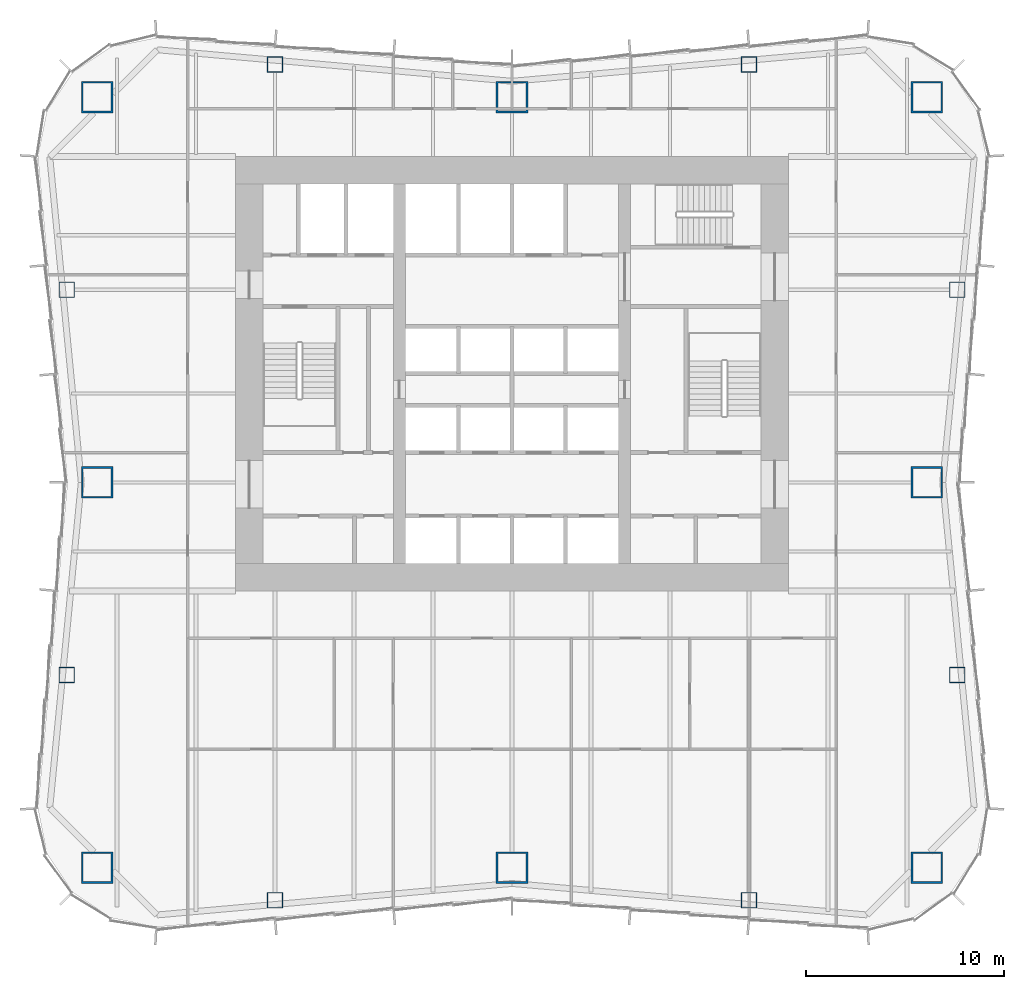
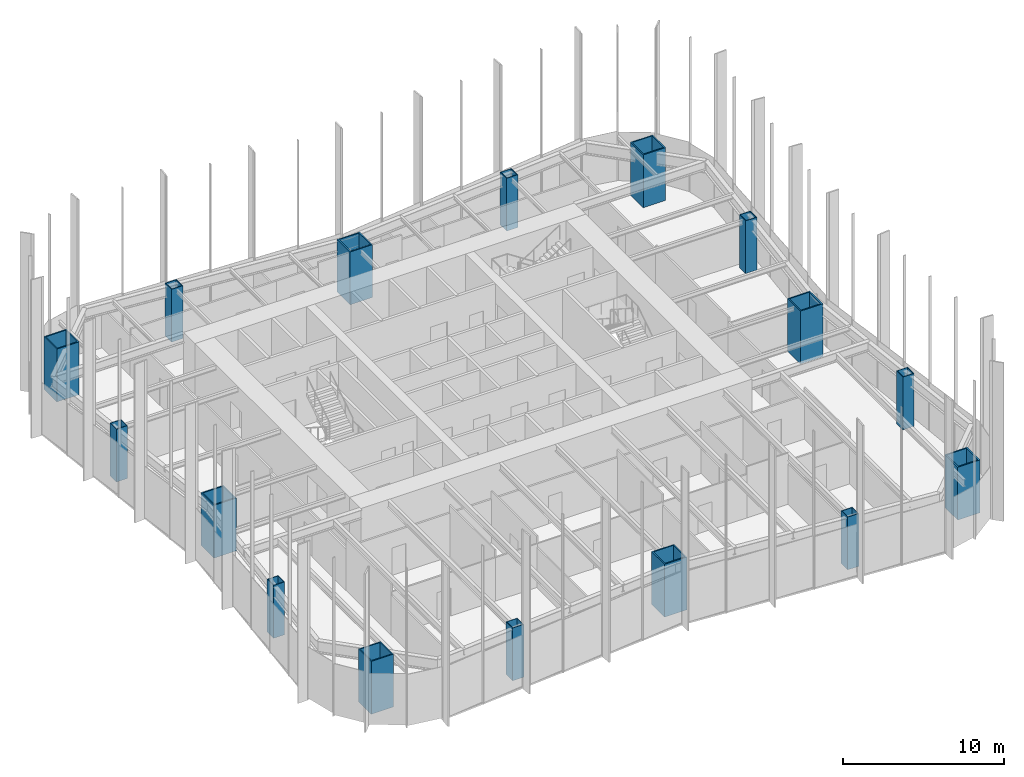
# One storey, part 1 of 13: 16 columns.
"""IFC4 building model written with IfcOpenShell, lengths in metres."""

from ifc_helpers import new_model, si_unit, direction, frame, origin, origin_2d, place, context, subcontext, project, spatial, hollow_rectangle, extrude, material, material_profile, profile_set, type_object, element, save


model = new_model("IFC4")

# Units and contexts
model_context = context("Model", 3, precision=1e-05, world=origin(), true_north=direction((0.0, 1.0)))
body_context = subcontext(model_context, "Body", "Model", "MODEL_VIEW")
ifc_project = project(units=[si_unit("LENGTHUNIT", "METRE"), si_unit("AREAUNIT", "SQUARE_METRE"), si_unit("VOLUMEUNIT", "CUBIC_METRE"), si_unit("PLANEANGLEUNIT", "RADIAN"), si_unit("MASSUNIT", "GRAM", prefix="KILO")], contexts=[model_context])

# Site, building, storey
site_placement = place(None, origin())
site = spatial("IfcSite", under=ifc_project, at=site_placement, CompositionType="ELEMENT")
building_placement = place(site_placement, origin())
building = spatial("IfcBuilding", under=site, at=building_placement, Name="Verdant Reach Tower", CompositionType="ELEMENT")
storey_placement = place(building_placement, frame((0.0, 0.0, 38.0)))
storey = spatial("IfcBuildingStorey", under=building, at=storey_placement, Name="L08", CompositionType="ELEMENT", Elevation=38.0)

# Columns
ifc_material = material(Name="Steel S460", Category="steel")
ifc_material_profile_1 = material_profile(ifc_material, hollow_rectangle(XDim=1.60009765625, YDim=1.60009765625, WallThickness=0.090087890625, at=origin_2d()), Name="WB 1600x1600x90")
ifc_profile_set_1 = profile_set([ifc_material_profile_1], Name="Steel S460")
column_type_1 = type_object("IfcColumnType", Name="ST-COL-WB1600x1600x90", PredefinedType="COLUMN", material=ifc_profile_set_1)
for number, where, z_axis, x_axis, name in (
    (1, (-21.0, 42.0, 0.0), (0.0, 0.0, 1.0), (1.0, 0.0, 0.0), "Mega column north-west, L08"),
    (2, (0.0, 42.0, 0.0), (0.0, 0.0, 1.0), (1.0, 0.0, 0.0), "Mega column north, L08"),
    (3, (21.0, 42.0, 0.0), (0.0, 0.0, 1.0), (1.0, 0.0, 0.0), "Mega column north-east, L08"),
    (4, (21.0, 22.5, 0.0), (0.0, 0.0, 1.0), (1.0, 0.0, 0.0), "Mega column east, L08"),
    (5, (21.0, 3.0, 0.0), (0.0, 0.0, 1.0), (1.0, 0.0, 0.0), "Mega column south-east, L08"),
    (6, (0.0, 3.0, 0.0), (0.0, 0.0, 1.0), (1.0, 0.0, 0.0), "Mega column south, L08"),
    (7, (-21.0, 3.0, 0.0), (0.0, 0.0, 1.0), (1.0, 0.0, 0.0), "Mega column south-west, L08"),
    (8, (-21.0, 22.5, 0.0), (0.0, 0.0, 1.0), (1.0, 0.0, 0.0), "Mega column west, L08"),
):
    element("IfcColumn", number, at=place(storey_placement, frame(where, z_axis=z_axis, x_axis=x_axis)), inside=storey, type_object=column_type_1, Name=name, PredefinedType="COLUMN", context=body_context, shape_type="SweptSolid", body=[
        extrude(hollow_rectangle(XDim=1.60009765625, YDim=1.60009765625, WallThickness=0.090087890625, at=origin_2d()), origin(), (0.0, 0.0, 1.0), 4.0),
    ])
ifc_material_profile_2 = material_profile(ifc_material, hollow_rectangle(XDim=0.800048828125, YDim=0.800048828125, WallThickness=0.0400390625, at=origin_2d()), Name="WB 800x800x40")
ifc_profile_set_2 = profile_set([ifc_material_profile_2], Name="Steel S460")
column_type_2 = type_object("IfcColumnType", Name="ST-COL-WB800x800x40", PredefinedType="COLUMN", material=ifc_profile_set_2)
for number, where, z_axis, x_axis, name in (
    (9, (-12.0, 43.64990234375, 0.0), (0.0, 0.0, 1.0), (1.0, 0.0, 0.0), "Perimeter column north 1, L08"),
    (10, (12.0, 43.64990234375, 0.0), (0.0, 0.0, 1.0), (1.0, 0.0, 0.0), "Perimeter column north 2, L08"),
    (11, (-12.0, 1.35009765625, 0.0), (0.0, 0.0, 1.0), (1.0, 0.0, 0.0), "Perimeter column south 1, L08"),
    (12, (12.0, 1.35009765625, 0.0), (0.0, 0.0, 1.0), (1.0, 0.0, 0.0), "Perimeter column south 2, L08"),
    (13, (22.536376953125, 12.75, 0.0), (0.0, 0.0, 1.0), (1.0, 0.0, 0.0), "Perimeter column east 1, L08"),
    (14, (22.536376953125, 32.25, 0.0), (0.0, 0.0, 1.0), (1.0, 0.0, 0.0), "Perimeter column east 2, L08"),
    (15, (-22.536376953125, 12.75, 0.0), (0.0, 0.0, 1.0), (1.0, 0.0, 0.0), "Perimeter column west 1, L08"),
    (16, (-22.536376953125, 32.25, 0.0), (0.0, 0.0, 1.0), (1.0, 0.0, 0.0), "Perimeter column west 2, L08"),
):
    element("IfcColumn", number, at=place(storey_placement, frame(where, z_axis=z_axis, x_axis=x_axis)), inside=storey, type_object=column_type_2, Name=name, PredefinedType="COLUMN", context=body_context, shape_type="SweptSolid", body=[
        extrude(hollow_rectangle(XDim=0.800048828125, YDim=0.800048828125, WallThickness=0.0400390625, at=origin_2d()), origin(), (0.0, 0.0, 1.0), 4.0),
    ])

save(model, "model.ifc")
